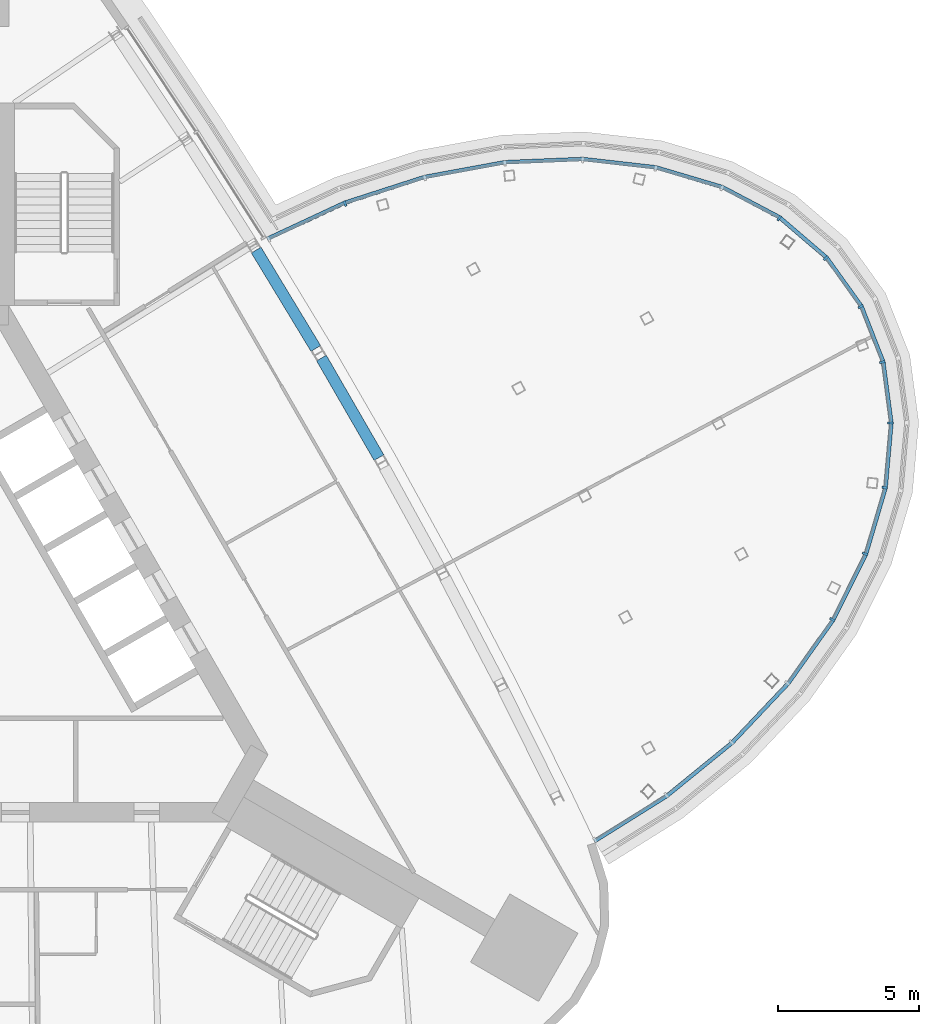
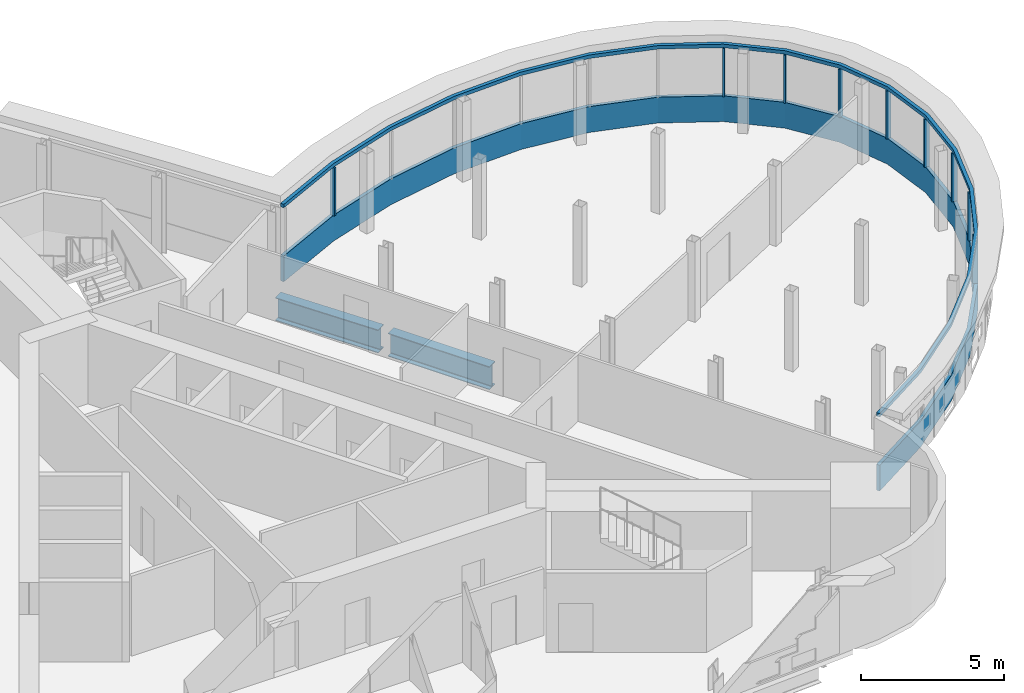
# One storey, part 7 of 15: 11 members, 2 beams, 1 element without a shape of its own.
"""IFC4 building model written with IfcOpenShell, lengths in metres."""

from ifc_helpers import new_model, si_unit, direction, frame, origin, origin_2d, place, context, subcontext, project, spatial, polyline, rectangle, i_section, outline, extrude, material, material_profile, profile_set, type_object, element, aggregate, save


model = new_model("IFC4")

# Units and contexts
model_context = context("Model", 3, precision=1e-05, world=origin(), true_north=direction((0.0, 1.0)))
body_context = subcontext(model_context, "Body", "Model", "MODEL_VIEW")
ifc_project = project(units=[si_unit("LENGTHUNIT", "METRE"), si_unit("AREAUNIT", "SQUARE_METRE"), si_unit("VOLUMEUNIT", "CUBIC_METRE"), si_unit("PLANEANGLEUNIT", "RADIAN"), si_unit("MASSUNIT", "GRAM", prefix="KILO")], contexts=[model_context])

# Site, building, storey
site_placement = place(None, origin())
site = spatial("IfcSite", under=ifc_project, at=site_placement, CompositionType="ELEMENT")
building_placement = place(site_placement, origin())
building = spatial("IfcBuilding", under=site, at=building_placement, Name="Noor Cloister Tower", CompositionType="ELEMENT")
storey_placement = place(building_placement, frame((0.0, 0.0, 174.300048828125)))
storey = spatial("IfcBuildingStorey", under=building, at=storey_placement, Name="L44", CompositionType="ELEMENT", Elevation=174.300048828125)

# Beams
ifc_material_1 = material(Name="Steel ASTM A992 Gr 50", Category="steel")
ifc_material_profile_1 = material_profile(ifc_material_1, i_section(OverallWidth=0.40087890625, OverallDepth=0.98291015625, WebThickness=0.0166015625, FlangeThickness=0.027099609375, FilletRadius=0.030029296875, at=origin_2d()), Name="W1000x296")
ifc_profile_set_1 = profile_set([ifc_material_profile_1], Name="Steel ASTM A992 Gr 50")
beam_type = type_object("IfcBeamType", Name="Belt chord girder W1000x296", PredefinedType="BEAM", material=ifc_profile_set_1)
beam_1_placement = place(storey_placement, frame((14.5625, 6.043701171875, -0.691650390625), z_axis=(-0.499980532398, 0.866036643118, 0.0), x_axis=(-0.866036643118, -0.499980532398, 0.0)))
element("IfcBeam", 1, at=beam_1_placement, inside=storey, type_object=beam_type, Name="Spandrel beam NE 04 L44", PredefinedType="BEAM", context=body_context, shape_type="SweptSolid", body=[
    extrude(i_section(OverallWidth=0.40087890625, OverallDepth=0.98291015625, WebThickness=0.0166015625, FlangeThickness=0.027099609375, FilletRadius=0.030029296875, at=origin_2d()), origin(), (0.0, 0.0, 1.0), 4.094482421875),
])
beam_2_placement = place(storey_placement, frame((12.314697265625, 9.9287109375, -0.691650390625), z_axis=(-0.518252817044, 0.85522746543, 0.0), x_axis=(-0.85522746543, -0.518252817044, 0.0)))
element("IfcBeam", 2, at=beam_2_placement, inside=storey, type_object=beam_type, Name="Spandrel beam NE 05 L44", PredefinedType="BEAM", context=body_context, shape_type="SweptSolid", body=[
    extrude(i_section(OverallWidth=0.40087890625, OverallDepth=0.98291015625, WebThickness=0.0166015625, FlangeThickness=0.027099609375, FilletRadius=0.030029296875, at=origin_2d()), origin(), (0.0, 0.0, 1.0), 4.09423828125),
])

# Curtain wall, members
ifc_material_2 = material(Name="Aluminium 6063-T6 anodised", Category="aluminium")
curtain_wall_type = type_object("IfcCurtainWallType", Name="Sky bar curtain wall, lower bars CW2", PredefinedType="NOTDEFINED", material=ifc_material_2)
curtain_wall_placement = place(storey_placement, origin())
curtain_wall = element("IfcCurtainWall", 3, at=curtain_wall_placement, inside=storey, type_object=curtain_wall_type, Name="CW2 L44 NE sky bar run 3", PredefinedType="NOTDEFINED")
ifc_material_3 = material(Name="Aluminium 6063-T6 anodised", Category="aluminium")
member_type_1 = type_object("IfcMemberType", Name="Head transom CW2 150", PredefinedType="USERDEFINED", material=ifc_material_3)
member_1_placement = place(storey_placement, frame((0.0, 0.0, 3.14990234375)))
member_1 = element("IfcMember", 4, at=member_1_placement, type_object=member_type_1, Name="CW2 head transom", ObjectType="TRANSOM", PredefinedType="USERDEFINED", context=body_context, shape_type="SweptSolid", body=[
    extrude(outline(polyline([(22.264892578125, -7.662353515625), (24.84619140625, -6.048095703125), (27.17138671875, -4.155517578125), (29.16943359375, -2.0419921875), (30.780029296875, 0.22802734375), (31.953857421875, 2.5859375), (32.65576171875, 4.959716796875), (32.86376953125, 7.27734375), (32.572021484375, 9.468505859375), (31.7890625, 11.466552734375), (30.5390625, 13.210693359375), (28.85986328125, 14.648193359375), (26.80224609375, 15.735107421875), (24.428955078125, 16.4384765625), (21.81201171875, 16.737060546875), (19.03125, 16.62158203125), (16.170654296875, 16.095947265625), (13.3173828125, 15.175537109375), (10.55810546875, 13.888671875), (10.617431640625, 13.76171875), (13.36865234375, 15.044921875), (16.204833984375, 15.959716796875), (19.046875, 16.482177734375), (21.80712890625, 16.5966796875), (24.40087890625, 16.30078125), (26.749267578125, 15.60498046875), (28.780517578125, 14.53173828125), (30.435302734375, 13.115478515625), (31.665283203125, 11.399169921875), (32.435546875, 9.43310546875), (32.722900390625, 7.2744140625), (32.517333984375, 4.986083984375), (31.8232421875, 2.637451171875), (30.65966796875, 0.30029296875), (29.06103515625, -1.952880859375), (27.075927734375, -4.052490234375), (24.7646484375, -5.933837890625), (22.190673828125, -7.54345703125), (22.264892578125, -7.662353515625)])), origin(), (0.0, 0.0, 1.0), 0.150146484375),
])
ifc_material_4 = material(Name="Aluminium 6063-T6 anodised", Category="aluminium")
ifc_material_profile_2 = material_profile(ifc_material_4, rectangle(XDim=0.199951171875, YDim=0.080078125, at=origin_2d()), Name="200 x 80 mullion")
ifc_profile_set_2 = profile_set([ifc_material_profile_2], Name="Aluminium 6063-T6 anodised")
member_type_2 = type_object("IfcMemberType", Name="Mullion CW2 80 x 200", PredefinedType="MULLION", material=ifc_profile_set_2)
member_2_placement = place(storey_placement, frame((30.694091796875, 0.27978515625, 1.099853515625), z_axis=(0.0, 0.0, 1.0), x_axis=(-0.857964763902, 0.513708539838, 0.0)))
member_2 = element("IfcMember", 5, at=member_2_placement, type_object=member_type_2, Name="CW2 mullion 5", PredefinedType="MULLION", context=body_context, shape_type="SweptSolid", body=[
    extrude(rectangle(XDim=0.199951171875, YDim=0.080078125, at=origin_2d()), origin(), (0.0, 0.0, 1.0), 2.050048828125),
])
member_3_placement = place(storey_placement, frame((31.860595703125, 2.62255859375, 1.099853515625), z_axis=(0.0, 0.0, 1.0), x_axis=(-0.930621457837, 0.36598319936, 0.0)))
member_3 = element("IfcMember", 6, at=member_3_placement, type_object=member_type_2, Name="CW2 mullion 6", PredefinedType="MULLION", context=body_context, shape_type="SweptSolid", body=[
    extrude(rectangle(XDim=0.199951171875, YDim=0.080078125, at=origin_2d()), origin(), (0.0, 0.0, 1.0), 2.050048828125),
])
member_4_placement = place(storey_placement, frame((32.556884765625, 4.978515625, 1.099853515625), z_axis=(0.0, 0.0, 1.0), x_axis=(-0.982289781945, 0.187368044999, 0.0)))
member_4 = element("IfcMember", 7, at=member_4_placement, type_object=member_type_2, Name="CW2 mullion 7", PredefinedType="MULLION", context=body_context, shape_type="SweptSolid", body=[
    extrude(rectangle(XDim=0.199951171875, YDim=0.080078125, at=origin_2d()), origin(), (0.0, 0.0, 1.0), 2.050048828125),
])
member_5_placement = place(storey_placement, frame((32.76318359375, 7.275146484375, 1.099853515625), z_axis=(0.0, 0.0, 1.0), x_axis=(-0.999770679664, -0.021414669843, 0.0)))
member_5 = element("IfcMember", 8, at=member_5_placement, type_object=member_type_2, Name="CW2 mullion 8", PredefinedType="MULLION", context=body_context, shape_type="SweptSolid", body=[
    extrude(rectangle(XDim=0.199951171875, YDim=0.080078125, at=origin_2d()), origin(), (0.0, 0.0, 1.0), 2.050048828125),
])
member_6_placement = place(storey_placement, frame((32.474365234375, 9.443359375, 1.099853515625), z_axis=(0.0, 0.0, 1.0), x_axis=(-0.968191923464, -0.250208711558, 0.0)))
member_6 = element("IfcMember", 9, at=member_6_placement, type_object=member_type_2, Name="CW2 mullion 9", PredefinedType="MULLION", context=body_context, shape_type="SweptSolid", body=[
    extrude(rectangle(XDim=0.199951171875, YDim=0.080078125, at=origin_2d()), origin(), (0.0, 0.0, 1.0), 2.050048828125),
])
member_7_placement = place(storey_placement, frame((31.70068359375, 11.41845703125, 1.099853515625), z_axis=(0.0, 0.0, 1.0), x_axis=(-0.878721831254, -0.477334205015, 0.0)))
member_7 = element("IfcMember", 10, at=member_7_placement, type_object=member_type_2, Name="CW2 mullion 10", PredefinedType="MULLION", context=body_context, shape_type="SweptSolid", body=[
    extrude(rectangle(XDim=0.199951171875, YDim=0.080078125, at=origin_2d()), origin(), (0.0, 0.0, 1.0), 2.050048828125),
])
member_8_placement = place(storey_placement, frame((30.46484375, 13.142578125, 1.099853515625), z_axis=(0.0, 0.0, 1.0), x_axis=(-0.736887925537, -0.676014929715, 0.0)))
member_8 = element("IfcMember", 11, at=member_8_placement, type_object=member_type_2, Name="CW2 mullion 11", PredefinedType="MULLION", context=body_context, shape_type="SweptSolid", body=[
    extrude(rectangle(XDim=0.199951171875, YDim=0.080078125, at=origin_2d()), origin(), (0.0, 0.0, 1.0), 2.050048828125),
])
member_9_placement = place(storey_placement, frame((28.80322265625, 14.56494140625, 1.099853515625), z_axis=(0.0, 0.0, 1.0), x_axis=(-0.562143787996, -0.827039516358, 0.0)))
member_9 = element("IfcMember", 12, at=member_9_placement, type_object=member_type_2, Name="CW2 mullion 12", PredefinedType="MULLION", context=body_context, shape_type="SweptSolid", body=[
    extrude(rectangle(XDim=0.199951171875, YDim=0.080078125, at=origin_2d()), origin(), (0.0, 0.0, 1.0), 2.050048828125),
])
member_10_placement = place(storey_placement, frame((13.35400390625, 15.082275390625, 1.099853515625), z_axis=(0.0, 0.0, 1.0), x_axis=(0.36553306319, -0.930798356098, 0.0)))
member_10 = element("IfcMember", 13, at=member_10_placement, type_object=member_type_2, Name="CW2 mullion 18", PredefinedType="MULLION", context=body_context, shape_type="SweptSolid", body=[
    extrude(rectangle(XDim=0.199951171875, YDim=0.080078125, at=origin_2d()), origin(), (0.0, 0.0, 1.0), 2.050048828125),
])
ifc_material_5 = material(Name="Aluminium 6063-T6 anodised", Category="aluminium")
member_type_3 = type_object("IfcMemberType", Name="Sill transom CW2 1100", PredefinedType="USERDEFINED", material=ifc_material_5)
member_11_placement = place(storey_placement, origin())
member_11 = element("IfcMember", 14, at=member_11_placement, type_object=member_type_3, Name="CW2 sill transom", ObjectType="TRANSOM", PredefinedType="USERDEFINED", context=body_context, shape_type="SweptSolid", body=[
    extrude(outline(polyline([(22.264892578125, -7.662353515625), (24.84619140625, -6.048095703125), (27.17138671875, -4.155517578125), (29.16943359375, -2.0419921875), (30.780029296875, 0.22802734375), (31.953857421875, 2.5859375), (32.65576171875, 4.959716796875), (32.86376953125, 7.27734375), (32.572021484375, 9.468505859375), (31.7890625, 11.466552734375), (30.5390625, 13.210693359375), (28.85986328125, 14.648193359375), (26.80224609375, 15.735107421875), (24.428955078125, 16.4384765625), (21.81201171875, 16.737060546875), (19.03125, 16.62158203125), (16.170654296875, 16.095947265625), (13.3173828125, 15.175537109375), (10.55810546875, 13.888671875), (10.617431640625, 13.76171875), (13.36865234375, 15.044921875), (16.204833984375, 15.959716796875), (19.046875, 16.482177734375), (21.80712890625, 16.5966796875), (24.40087890625, 16.30078125), (26.749267578125, 15.60498046875), (28.780517578125, 14.53173828125), (30.435302734375, 13.115478515625), (31.665283203125, 11.399169921875), (32.435546875, 9.43310546875), (32.722900390625, 7.2744140625), (32.517333984375, 4.986083984375), (31.8232421875, 2.637451171875), (30.65966796875, 0.30029296875), (29.06103515625, -1.952880859375), (27.075927734375, -4.052490234375), (24.7646484375, -5.933837890625), (22.190673828125, -7.54345703125), (22.264892578125, -7.662353515625)])), origin(), (0.0, 0.0, 1.0), 1.099853515625),
])
aggregate(curtain_wall, [member_2, member_3, member_4, member_5, member_6, member_7, member_8, member_9, member_10, member_11, member_1])

save(model, "model.ifc")
